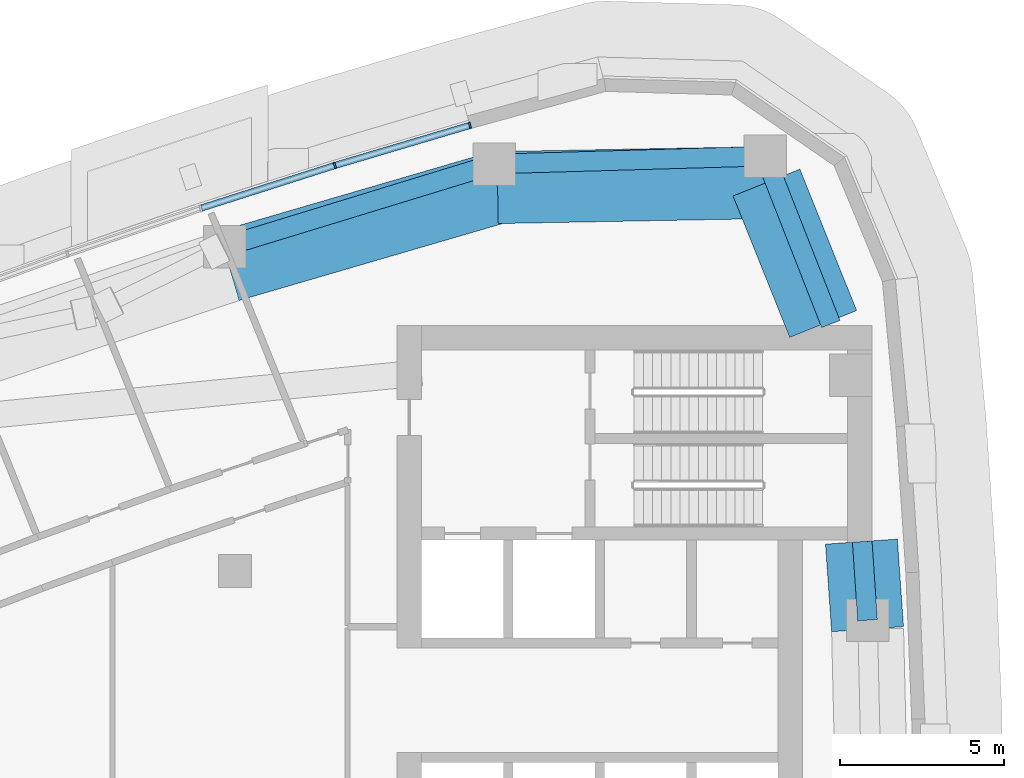
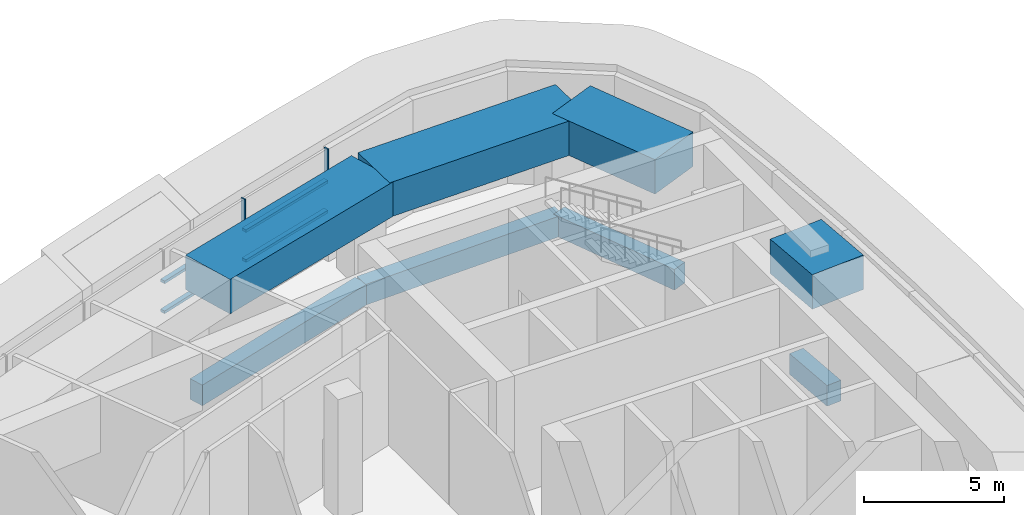
# One storey, part 7 of 17: 8 beams, 6 members, 1 element without a shape of its own.
"""IFC4 building model written with IfcOpenShell, lengths in metres."""

from ifc_helpers import new_model, si_unit, direction, frame, origin, origin_2d, place, context, subcontext, project, spatial, rectangle, extrude, material, layer, layer_set, material_profile, profile_set, type_object, element, aggregate, save


model = new_model("IFC4")

# Units and contexts
model_context = context("Model", 3, precision=1e-05, world=origin(), true_north=direction((0.0, 1.0)))
body_context = subcontext(model_context, "Body", "Model", "MODEL_VIEW")
ifc_project = project(units=[si_unit("LENGTHUNIT", "METRE"), si_unit("AREAUNIT", "SQUARE_METRE"), si_unit("VOLUMEUNIT", "CUBIC_METRE"), si_unit("PLANEANGLEUNIT", "RADIAN"), si_unit("MASSUNIT", "GRAM", prefix="KILO")], contexts=[model_context])

# Site, building, storey
site_placement = place(None, origin())
site = spatial("IfcSite", under=ifc_project, at=site_placement, CompositionType="ELEMENT")
building_placement = place(site_placement, origin())
building = spatial("IfcBuilding", under=site, at=building_placement, Name="Ostrand Prow Hotel Tower", CompositionType="ELEMENT")
storey_placement = place(building_placement, frame((0.0, 0.0, 211.0)))
storey = spatial("IfcBuildingStorey", under=building, at=storey_placement, Name="L53", CompositionType="ELEMENT", Elevation=211.0)

# Beams
ifc_material_1 = material(Name="Concrete C60/75", Category="concrete")
ifc_material_profile_1 = material_profile(ifc_material_1, rectangle(XDim=2.199951171875, YDim=1.5, at=origin_2d()), Name="RC 2200x1500")
ifc_profile_set_1 = profile_set([ifc_material_profile_1], Name="Concrete C60/75")
beam_type_1 = type_object("IfcBeamType", Name="Belt girder 2200x1500 C60/75", PredefinedType="BEAM", material=ifc_profile_set_1)
beam_1_placement = place(storey_placement, frame((64.3310546875, 7.2255859375, 4.14990234375), z_axis=(-0.070120927848, 0.997538498243, 0.0), x_axis=(-0.997538498243, -0.070120927848, 0.0)))
element("IfcBeam", 1, at=beam_1_placement, inside=storey, type_object=beam_type_1, Name="Belt girder B4-B5", PredefinedType="BEAM", context=body_context, shape_type="SweptSolid", body=[
    extrude(rectangle(XDim=2.199951171875, YDim=1.5, at=origin_2d()), origin(), (0.0, 0.0, 1.0), 2.680908203125),
])
beam_2_placement = place(storey_placement, frame((62.9755859375, 16.550048828125, 4.14990234375), z_axis=(-0.372529597869, 0.928020311583, 0.0), x_axis=(-0.928020311583, -0.372529597869, 0.0)))
element("IfcBeam", 2, at=beam_2_placement, inside=storey, type_object=beam_type_1, Name="Belt girder B5-NE", PredefinedType="BEAM", context=body_context, shape_type="SweptSolid", body=[
    extrude(rectangle(XDim=2.199951171875, YDim=1.5, at=origin_2d()), origin(), (0.0, 0.0, 1.0), 4.65576171875),
])
beam_3_placement = place(storey_placement, frame((61.2412109375, 20.87060546875, 4.14990234375), z_axis=(-0.999829186978, -0.018482339346, 0.0), x_axis=(0.018482339346, -0.999829186978, 0.0)))
element("IfcBeam", 3, at=beam_3_placement, inside=storey, type_object=beam_type_1, Name="Belt girder NE-N1", PredefinedType="BEAM", context=body_context, shape_type="SweptSolid", body=[
    extrude(rectangle(XDim=2.199951171875, YDim=1.5, at=origin_2d()), origin(), (0.0, 0.0, 1.0), 8.21630859375),
])
beam_4_placement = place(storey_placement, frame((53.0263671875, 20.71875, 4.14990234375), z_axis=(-0.959993926139, -0.280020823825, 0.0), x_axis=(0.280020823825, -0.959993926139, 0.0)))
element("IfcBeam", 4, at=beam_4_placement, inside=storey, type_object=beam_type_1, Name="Belt girder N1-N2", PredefinedType="BEAM", context=body_context, shape_type="SweptSolid", body=[
    extrude(rectangle(XDim=2.199951171875, YDim=1.5, at=origin_2d()), origin(), (0.0, 0.0, 1.0), 8.553955078125),
])
ifc_material_2 = material(Name="Concrete C60/75", Category="concrete")
ifc_material_profile_2 = material_profile(ifc_material_2, rectangle(XDim=0.60009765625, YDim=0.89990234375, at=origin_2d()), Name="RC 600x900")
ifc_profile_set_2 = profile_set([ifc_material_profile_2], Name="Concrete C60/75")
beam_type_2 = type_object("IfcBeamType", Name="Edge beam 600x900 C60/75", PredefinedType="SPANDREL", material=ifc_profile_set_2)
beam_5_placement = place(storey_placement, frame((64.330322265625, 7.499267578125, -0.85009765625), z_axis=(-0.067778284608, 0.997700408006, 0.0), x_axis=(-0.997700408006, -0.067778284608, 0.0)))
element("IfcBeam", 5, at=beam_5_placement, inside=storey, type_object=beam_type_2, Name="Edge beam B4-B5", PredefinedType="SPANDREL", context=body_context, shape_type="SweptSolid", body=[
    extrude(rectangle(XDim=0.60009765625, YDim=0.89990234375, at=origin_2d()), origin(), (0.0, 0.0, 1.0), 2.40625),
])
beam_6_placement = place(storey_placement, frame((63.2080078125, 16.550048828125, -0.85009765625), z_axis=(-0.364802049817, 0.931085100541, 0.0), x_axis=(-0.931085100541, -0.364802049817, 0.0)))
element("IfcBeam", 6, at=beam_6_placement, inside=storey, type_object=beam_type_2, Name="Edge beam B5-NE", PredefinedType="SPANDREL", context=body_context, shape_type="SweptSolid", body=[
    extrude(rectangle(XDim=0.60009765625, YDim=0.89990234375, at=origin_2d()), origin(), (0.0, 0.0, 1.0), 5.508544921875),
])
beam_7_placement = place(storey_placement, frame((61.198486328125, 21.678955078125, -0.85009765625), z_axis=(-0.999575901438, -0.029120735993, 0.0), x_axis=(0.029120735993, -0.999575901438, 0.0)))
element("IfcBeam", 7, at=beam_7_placement, inside=storey, type_object=beam_type_2, Name="Edge beam NE-N1", PredefinedType="SPANDREL", context=body_context, shape_type="SweptSolid", body=[
    extrude(rectangle(XDim=0.60009765625, YDim=0.89990234375, at=origin_2d()), origin(), (0.0, 0.0, 1.0), 8.274658203125),
])
beam_8_placement = place(storey_placement, frame((52.92724609375, 21.43798828125, -0.85009765625), z_axis=(-0.956245556413, -0.292565267659, 0.0), x_axis=(0.292565267659, -0.956245556413, 0.0)))
element("IfcBeam", 8, at=beam_8_placement, inside=storey, type_object=beam_type_2, Name="Edge beam N1-N2", PredefinedType="SPANDREL", context=body_context, shape_type="SweptSolid", body=[
    extrude(rectangle(XDim=0.60009765625, YDim=0.89990234375, at=origin_2d()), origin(), (0.0, 0.0, 1.0), 8.621826171875),
])

# Curtain wall, members
ifc_material_3 = material(Name="Insulated glass in bronze anodised frame", Category="glass")
ifc_layer = layer(ifc_material_3, 0.199951171875)
ifc_layer_set = layer_set([ifc_layer], Name="Insulated glass in bronze anodised frame")
curtain_wall_type = type_object("IfcCurtainWallType", Name="Plant storey louvre wall", PredefinedType="NOTDEFINED", material=ifc_layer_set)
curtain_wall_placement = place(storey_placement, origin())
curtain_wall = element("IfcCurtainWall", 9, at=curtain_wall_placement, inside=storey, type_object=curtain_wall_type, Name="CW7 run CWN1", PredefinedType="NOTDEFINED")
ifc_material_4 = material(Name="Bronze anodised aluminium", Category="aluminium")
ifc_material_profile_3 = material_profile(ifc_material_4, rectangle(XDim=0.199951171875, YDim=0.06005859375, at=origin_2d()), Name="Mullion 60x200 bronze anodised aluminium")
ifc_profile_set_3 = profile_set([ifc_material_profile_3], Name="Bronze anodised aluminium")
member_type_1 = type_object("IfcMemberType", Name="Mullion 60x200 bronze anodised aluminium", PredefinedType="MULLION", material=ifc_profile_set_3)
member_1_placement = place(storey_placement, frame((52.182373046875, 22.619384765625, 0.89990234375), z_axis=(0.0, 0.0, 1.0), x_axis=(0.284544113619, -0.958662947758, 0.0)))
member_1 = element("IfcMember", 10, at=member_1_placement, type_object=member_type_1, Name="CW7 mullion 1", PredefinedType="MULLION", context=body_context, shape_type="SweptSolid", body=[
    extrude(rectangle(XDim=0.199951171875, YDim=0.06005859375, at=origin_2d()), origin(), (0.0, 0.0, 1.0), 4.0),
])
member_2_placement = place(storey_placement, frame((48.055419921875, 21.39453125, 0.89990234375), z_axis=(0.0, 0.0, 1.0), x_axis=(0.303786970008, -0.952739983864, 0.0)))
member_2 = element("IfcMember", 11, at=member_2_placement, type_object=member_type_1, Name="CW7 mullion 2", PredefinedType="MULLION", context=body_context, shape_type="SweptSolid", body=[
    extrude(rectangle(XDim=0.199951171875, YDim=0.06005859375, at=origin_2d()), origin(), (0.0, 0.0, 1.0), 4.0),
])
ifc_material_5 = material(Name="Bronze anodised aluminium", Category="aluminium")
ifc_material_profile_4 = material_profile(ifc_material_5, rectangle(XDim=0.199951171875, YDim=0.1201171875, at=origin_2d()), Name="Transom 120x200 bronze anodised aluminium")
ifc_profile_set_4 = profile_set([ifc_material_profile_4], Name="Bronze anodised aluminium")
member_type_2 = type_object("IfcMemberType", Name="Transom 120x200 bronze anodised aluminium", PredefinedType="USERDEFINED", material=ifc_profile_set_4)
member_3_placement = place(storey_placement, frame((52.15380859375, 22.611083984375, 2.199951171875), z_axis=(-0.958661084062, -0.284550392558, 0.0), x_axis=(0.284550392558, -0.958661084062, 0.0)))
member_3 = element("IfcMember", 12, at=member_3_placement, type_object=member_type_2, Name="CW7 transom 1.1", ObjectType="TRANSOM", PredefinedType="USERDEFINED", context=body_context, shape_type="SweptSolid", body=[
    extrude(rectangle(XDim=0.199951171875, YDim=0.1201171875, at=origin_2d()), origin(), (0.0, 0.0, 1.0), 4.245361328125),
])
member_4_placement = place(storey_placement, frame((52.15380859375, 22.611083984375, 3.5), z_axis=(-0.958661084062, -0.284550392558, 0.0), x_axis=(0.284550392558, -0.958661084062, 0.0)))
member_4 = element("IfcMember", 13, at=member_4_placement, type_object=member_type_2, Name="CW7 transom 1.2", ObjectType="TRANSOM", PredefinedType="USERDEFINED", context=body_context, shape_type="SweptSolid", body=[
    extrude(rectangle(XDim=0.199951171875, YDim=0.1201171875, at=origin_2d()), origin(), (0.0, 0.0, 1.0), 4.245361328125),
])
member_5_placement = place(storey_placement, frame((48.026611328125, 21.385498046875, 2.199951171875), z_axis=(-0.952737512605, -0.303794720289, 0.0), x_axis=(0.303794720289, -0.952737512605, 0.0)))
member_5 = element("IfcMember", 14, at=member_5_placement, type_object=member_type_2, Name="CW7 transom 2.1", ObjectType="TRANSOM", PredefinedType="USERDEFINED", context=body_context, shape_type="SweptSolid", body=[
    extrude(rectangle(XDim=0.199951171875, YDim=0.1201171875, at=origin_2d()), origin(), (0.0, 0.0, 1.0), 4.244873046875),
])
member_6_placement = place(storey_placement, frame((48.026611328125, 21.385498046875, 3.5), z_axis=(-0.952737512605, -0.303794720289, 0.0), x_axis=(0.303794720289, -0.952737512605, 0.0)))
member_6 = element("IfcMember", 15, at=member_6_placement, type_object=member_type_2, Name="CW7 transom 2.2", ObjectType="TRANSOM", PredefinedType="USERDEFINED", context=body_context, shape_type="SweptSolid", body=[
    extrude(rectangle(XDim=0.199951171875, YDim=0.1201171875, at=origin_2d()), origin(), (0.0, 0.0, 1.0), 4.244873046875),
])
aggregate(curtain_wall, [member_1, member_2, member_3, member_4, member_5, member_6])

save(model, "model.ifc")
